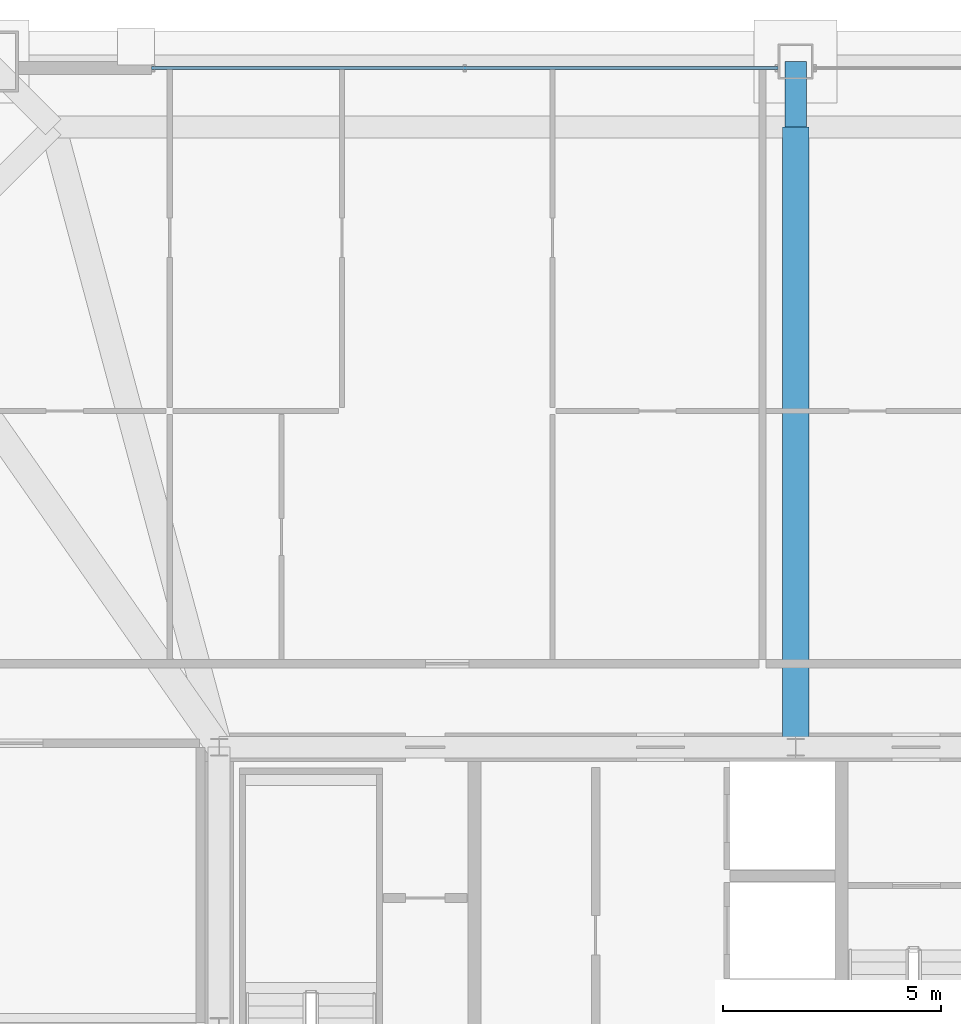
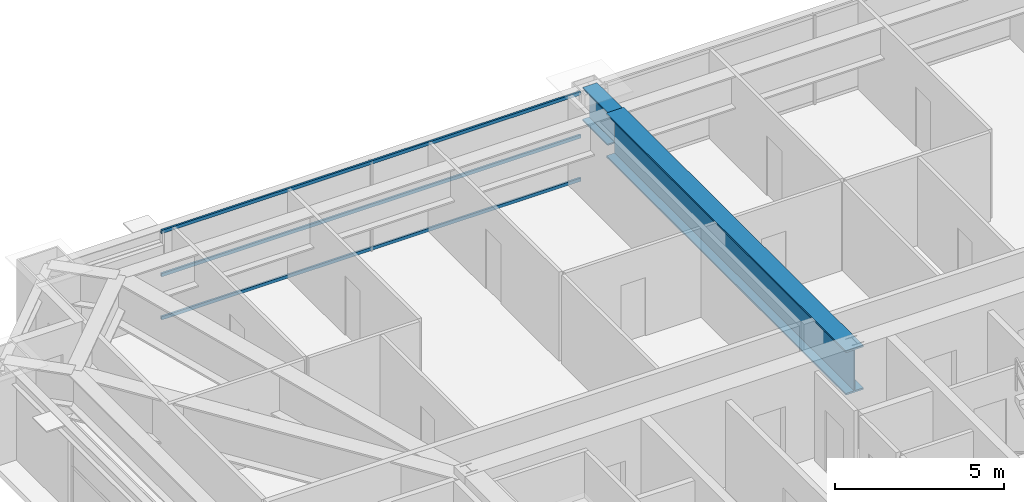
# One storey, part 27 of 39: 3 members, 2 beams, 1 element without a shape of its own.
"""IFC4 building model written with IfcOpenShell, lengths in metres."""

from ifc_helpers import new_model, si_unit, direction, frame, origin, origin_2d, place, context, subcontext, project, spatial, hollow_rectangle, i_section, extrude, source, transform, mapped, material, layer, layer_set, material_profile, profile_set, type_object, element, aggregate, save


model = new_model("IFC4")

# Units and contexts
model_context = context("Model", 3, precision=1e-05, world=origin(), true_north=direction((0.0, 1.0)))
body_context = subcontext(model_context, "Body", "Model", "MODEL_VIEW")
ifc_project = project(units=[si_unit("LENGTHUNIT", "METRE"), si_unit("AREAUNIT", "SQUARE_METRE"), si_unit("VOLUMEUNIT", "CUBIC_METRE"), si_unit("PLANEANGLEUNIT", "RADIAN"), si_unit("MASSUNIT", "GRAM", prefix="KILO"), si_unit("THERMODYNAMICTEMPERATUREUNIT", "KELVIN"), si_unit("POWERUNIT", "WATT")], contexts=[model_context])

# Site, building, storey
site_placement = place(None, origin())
site = spatial("IfcSite", under=ifc_project, at=site_placement, CompositionType="ELEMENT")
building_placement = place(site_placement, origin())
building = spatial("IfcBuilding", under=site, at=building_placement, Name="Yuzanri Waterfront Tower", CompositionType="ELEMENT")
storey_placement = place(building_placement, frame((0.0, 0.0, 216.0)))
storey = spatial("IfcBuildingStorey", under=building, at=storey_placement, Name="L57", CompositionType="ELEMENT", Elevation=216.0)

# Beams
ifc_material_1 = material(Name="Steel Q420GJC", Category="steel")
ifc_material_profile_1 = material_profile(ifc_material_1, i_section(OverallWidth=0.5, OverallDepth=1.199951171875, WebThickness=0.028076171875, FlangeThickness=0.050048828125, at=origin_2d()), Name="PG 1200x500x28x50")
ifc_profile_set_1 = profile_set([ifc_material_profile_1], Name="Steel Q420GJC")
beam_type_1 = type_object("IfcBeamType", Name="Setback Transfer Girder Q420GJC PG 1200x500", PredefinedType="USERDEFINED", material=ifc_profile_set_1)
shared_shape_1 = source(origin(), body_context, "Body", "SweptSolid", [
    extrude(i_section(OverallWidth=0.5, OverallDepth=1.199951171875, WebThickness=0.028076171875, FlangeThickness=0.050048828125, at=origin_2d()), origin(), (0.0, 0.0, 1.0), 1.5),
])
beam_1_placement = place(storey_placement, frame((37.0, 46.39990234375, 2.6201171875), z_axis=(0.0, 1.0, 0.0), x_axis=(-1.0, 0.0, 0.0)))
element("IfcBeam", 1, at=beam_1_placement, inside=storey, type_object=beam_type_1, Name="L57 Setback Step Transfer N2", ObjectType="GIRDER", PredefinedType="USERDEFINED", context=body_context, shape_type="MappedRepresentation", body=[
    mapped(shared_shape_1, transform((0.0, 0.0, 0.0), scale=1.0)),
])
ifc_material_2 = material(Name="Steel Q420GJC", Category="steel")
ifc_material_profile_2 = material_profile(ifc_material_2, i_section(OverallWidth=0.60009765625, OverallDepth=1.60009765625, WebThickness=0.031982421875, FlangeThickness=0.06005859375, at=origin_2d()), Name="PG 1600x600x32x60")
ifc_profile_set_2 = profile_set([ifc_material_profile_2], Name="Steel Q420GJC")
beam_type_2 = type_object("IfcBeamType", Name="Ballroom Transfer Girder Q420GJC PG 1600x600", PredefinedType="USERDEFINED", material=ifc_profile_set_2)
shared_shape_2 = source(origin(), body_context, "Body", "SweptSolid", [
    extrude(i_section(OverallWidth=0.60009765625, OverallDepth=1.60009765625, WebThickness=0.031982421875, FlangeThickness=0.06005859375, at=origin_2d()), origin(), (0.0, 0.0, 1.0), 14.199951171875),
])
beam_2_placement = place(storey_placement, frame((37.0, 32.199951171875, 2.419921875), z_axis=(0.0, 1.0, 0.0), x_axis=(-1.0, 0.0, 0.0)))
element("IfcBeam", 2, at=beam_2_placement, inside=storey, type_object=beam_type_2, Name="L57 Setback Inner Transfer N2", ObjectType="GIRDER", PredefinedType="USERDEFINED", context=body_context, shape_type="MappedRepresentation", body=[
    mapped(shared_shape_2, transform((0.0, 0.0, 0.0), scale=1.0)),
])

# Curtain wall, members
ifc_material_3 = material(Name="Anodized Architectural Bronze", Category="metal")
ifc_layer = layer(ifc_material_3, 0.159912109375)
ifc_layer_set = layer_set([ifc_layer], Name="Anodized Architectural Bronze")
curtain_wall_type = type_object("IfcCurtainWallType", Name="Anodized Bronze Mid-Rise Residential Acoustic Unitized Curtain Wall 7200", PredefinedType="NOTDEFINED", material=ifc_layer_set)
curtain_wall_placement = place(storey_placement, origin())
curtain_wall = element("IfcCurtainWall", 3, at=curtain_wall_placement, inside=storey, type_object=curtain_wall_type, Name="L57 Curtain Wall CW-L57-NL", PredefinedType="NOTDEFINED")
ifc_material_4 = material(Name="Anodized Architectural Bronze", Category="metal")
ifc_material_profile_3 = material_profile(ifc_material_4, hollow_rectangle(XDim=0.06494140625, YDim=0.1201171875, WallThickness=0.00341796875, at=origin_2d()), Name="CWT 65x120")
ifc_profile_set_3 = profile_set([ifc_material_profile_3], Name="Anodized Architectural Bronze")
member_type = type_object("IfcMemberType", Name="Anodized Bronze Secondary Curtain-Wall Transom 65x120", PredefinedType="USERDEFINED", material=ifc_profile_set_3)
shared_shape_3 = source(origin(), body_context, "Body", "SweptSolid", [
    extrude(hollow_rectangle(XDim=0.06494140625, YDim=0.1201171875, WallThickness=0.00341796875, at=origin_2d()), origin(), (0.0, 0.0, 1.0), 14.35009765625),
])
member_1_placement = place(storey_placement, frame((22.25, 47.75, 0.050048828125), z_axis=(1.0, 0.0, 0.0), x_axis=(0.0, 1.0, 0.0)))
member_1 = element("IfcMember", 4, at=member_1_placement, type_object=member_type, Name="CW-L57-NL Transom 1", ObjectType="TRANSOM", PredefinedType="USERDEFINED", context=body_context, shape_type="MappedRepresentation", body=[
    mapped(shared_shape_3, transform((0.0, 0.0, 0.0), scale=1.0)),
])
member_2_placement = place(storey_placement, frame((22.25, 47.75, 1.610107421875), z_axis=(1.0, 0.0, 0.0), x_axis=(0.0, 1.0, 0.0)))
member_2 = element("IfcMember", 5, at=member_2_placement, type_object=member_type, Name="CW-L57-NL Transom 2", ObjectType="TRANSOM", PredefinedType="USERDEFINED", context=body_context, shape_type="MappedRepresentation", body=[
    mapped(shared_shape_3, transform((0.0, 0.0, 0.0), scale=1.0)),
])
member_3_placement = place(storey_placement, frame((22.25, 47.75, 3.169921875), z_axis=(1.0, 0.0, 0.0), x_axis=(0.0, 1.0, 0.0)))
member_3 = element("IfcMember", 6, at=member_3_placement, type_object=member_type, Name="CW-L57-NL Transom 3", ObjectType="TRANSOM", PredefinedType="USERDEFINED", context=body_context, shape_type="MappedRepresentation", body=[
    mapped(shared_shape_3, transform((0.0, 0.0, 0.0), scale=1.0)),
])
aggregate(curtain_wall, [member_1, member_2, member_3])

save(model, "model.ifc")
